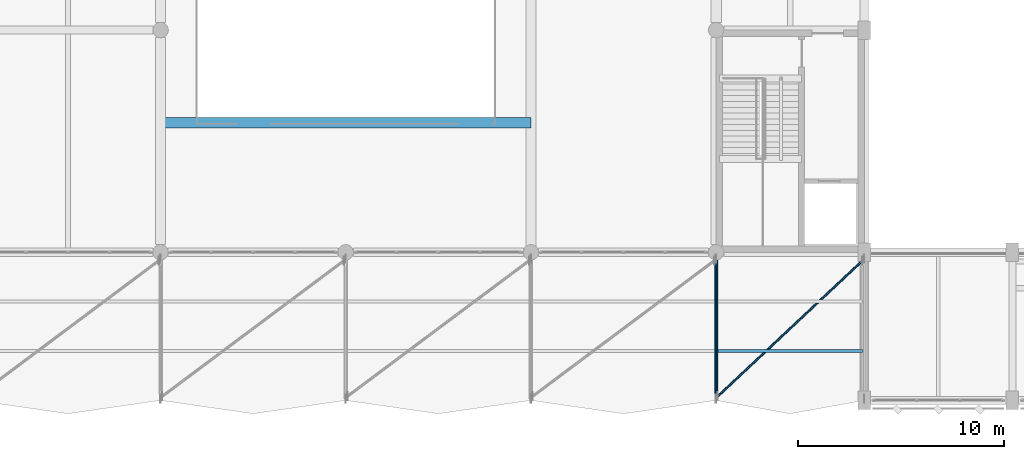
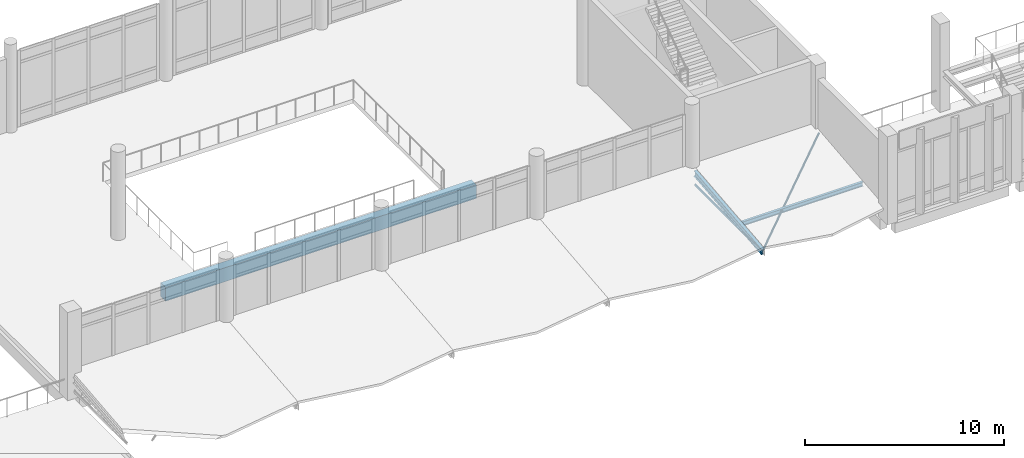
# One storey, part 40 of 180: 3 beams, 2 members.
"""IFC4 building model written with IfcOpenShell, lengths in metres."""

import ifcopenshell
import ifcopenshell.guid

model = None  # the IFC model being written
_history = None  # IfcOwnerHistory: only IFC2X3 demands one
_inside = {}  # id of a spatial element -> (the spatial element, [elements in it])
_under = {}  # id of a project, library or spatial element -> (it, [spatial elements below it])
_declared = {}  # id of a project -> (the project, [libraries it declares])
_typed = {}  # id of a type object -> (the type object, [elements of that type])
_made_of = {}  # id of a material, layer set ... -> (it, [elements and type objects made of it])


def new_model(schema):
    """Start an empty IFC model of exactly this schema.

    Asked for "IFC4X3", IfcOpenShell would pick the latest addendum, in which some entities
    have other attributes; the version numbers below select the first issue.
    IFC2X3 requires an IfcOwnerHistory on every rooted entity: one is made here for all.
    """
    global model, _history
    if schema == "IFC4X3":
        model = ifcopenshell.file(schema_version=(4, 3, 0, 0))
    else:
        model = ifcopenshell.file(schema=schema)
    _inside.clear()
    _under.clear()
    _declared.clear()
    _typed.clear()
    _made_of.clear()
    _history = None
    if model.schema == "IFC2X3":
        org = make("IfcOrganization", Name="unknown")
        user = make(
            "IfcPersonAndOrganization",
            ThePerson=make("IfcPerson", FamilyName="unknown"),
            TheOrganization=org,
        )
        app = make(
            "IfcApplication",
            ApplicationDeveloper=org,
            Version="unknown",
            ApplicationFullName="unknown",
            ApplicationIdentifier="unknown",
        )
        _history = make(
            "IfcOwnerHistory",
            OwningUser=user,
            OwningApplication=app,
            ChangeAction="ADDED",
            CreationDate=0,
        )
    return model


def make(cls, **values):
    """One entity of the class cls with the attributes given. An attribute that is None is left unset."""
    return model.create_entity(
        cls, **{name: value for name, value in values.items() if value is not None}
    )


def rooted(cls, **values):
    """An entity with a GlobalId (a new one), such as an element, a storey or a relation."""
    return make(cls, GlobalId=ifcopenshell.guid.new(), OwnerHistory=_history, **values)


def si_unit(unit_type, name, prefix=None):
    """IfcSIUnit, for example si_unit("LENGTHUNIT", "METRE", prefix="MILLI")."""
    return make("IfcSIUnit", UnitType=unit_type, Prefix=prefix, Name=name)


def assignment(units):
    """IfcUnitAssignment: the units of a project."""
    return None if units is None else make("IfcUnitAssignment", Units=units)


def point(xyz):
    """IfcCartesianPoint."""
    return None if xyz is None else make("IfcCartesianPoint", Coordinates=xyz)


def direction(xyz):
    """IfcDirection."""
    return None if xyz is None else make("IfcDirection", DirectionRatios=xyz)


def frame(location, z_axis=None, x_axis=None):
    """IfcAxis2Placement3D, a coordinate frame: its origin and axes. An axis left out is left unset."""
    return make(
        "IfcAxis2Placement3D",
        Location=point(location),
        Axis=direction(z_axis),
        RefDirection=direction(x_axis),
    )


def frame_2d(location, x_axis=None):
    """IfcAxis2Placement2D, a coordinate frame in the plane: its origin and x axis."""
    return make(
        "IfcAxis2Placement2D", Location=point(location), RefDirection=direction(x_axis)
    )


def origin():
    """The frame at (0, 0, 0) with its axes left unset."""
    return frame((0.0, 0.0, 0.0))


def origin_2d():
    """The frame at (0, 0) in the plane with its x axis left unset."""
    return frame_2d((0.0, 0.0))


def place(relative_to, where):
    """IfcLocalPlacement: puts the frame where relative to a parent placement (None: the world)."""
    return make(
        "IfcLocalPlacement", PlacementRelTo=relative_to, RelativePlacement=where
    )


def context(
    kind, dimensions, precision=None, world=None, true_north=None, identifier=None
):
    """IfcGeometricRepresentationContext, for example the 3D "Model" context."""
    return make(
        "IfcGeometricRepresentationContext",
        ContextIdentifier=identifier,
        ContextType=kind,
        CoordinateSpaceDimension=dimensions,
        Precision=precision,
        WorldCoordinateSystem=world,
        TrueNorth=true_north,
    )


def subcontext(parent, identifier, kind, view, scale=None):
    """IfcGeometricRepresentationSubContext, for example "Body" below "Model"."""
    return make(
        "IfcGeometricRepresentationSubContext",
        ContextIdentifier=identifier,
        ContextType=kind,
        ParentContext=parent,
        TargetScale=scale,
        TargetView=view,
    )


def project(units=None, contexts=None):
    """IfcProject with its units and contexts."""
    return rooted(
        "IfcProject",
        Name="project",
        RepresentationContexts=contexts,
        UnitsInContext=assignment(units),
    )


def spatial(cls, under=None, at=None, **own):
    """A site, building, storey or space (cls), placed at a placement, below another one or the project."""
    s = rooted(cls, ObjectPlacement=at, **own)
    if under is not None:
        _under.setdefault(under.id(), (under, []))[1].append(s)
    return s


def profile(cls, at=None, kind="AREA", **sizes):
    """A parametric profile (cls). Its sizes go by their IFC names, for example OverallWidth=200.0."""
    return make(cls, ProfileType=kind, Position=at, **sizes)


def rectangle(**sizes):
    """IfcRectangleProfileDef."""
    return profile("IfcRectangleProfileDef", **sizes)


def hollow_rectangle(**sizes):
    """IfcRectangleHollowProfileDef."""
    return profile("IfcRectangleHollowProfileDef", **sizes)


def hollow_circle(**sizes):
    """IfcCircleHollowProfileDef."""
    return profile("IfcCircleHollowProfileDef", **sizes)


def i_section(**sizes):
    """IfcIShapeProfileDef."""
    return profile("IfcIShapeProfileDef", **sizes)


def extrude(swept, where, along, depth):
    """IfcExtrudedAreaSolid: the profile swept, set in the frame where, extruded along a direction by depth."""
    return make(
        "IfcExtrudedAreaSolid",
        SweptArea=swept,
        Position=where,
        ExtrudedDirection=direction(along),
        Depth=depth,
    )


def shape(context_of_items, identifier, shape_type, items):
    """IfcShapeRepresentation: the items that make up one representation, for example the "Body"."""
    return make(
        "IfcShapeRepresentation",
        ContextOfItems=context_of_items,
        RepresentationIdentifier=identifier,
        RepresentationType=shape_type,
        Items=items,
    )


def material(Name=None, Category=None):
    """IfcMaterial."""
    return make("IfcMaterial", Name=Name, Category=Category)


def material_profile(
    of_material, cross_section, Name=None, Category=None, Priority=None
):
    """IfcMaterialProfile: a cross section and its material."""
    return make(
        "IfcMaterialProfile",
        Name=Name,
        Material=of_material,
        Profile=cross_section,
        Priority=Priority,
        Category=Category,
    )


def profile_set(profiles, Name=None, composite=None):
    """IfcMaterialProfileSet."""
    return make(
        "IfcMaterialProfileSet",
        Name=Name,
        MaterialProfiles=profiles,
        CompositeProfile=composite,
    )


def made_of(thing, what):
    """Note that an element or type object is made of a material, layer set ...; save() writes the relation."""
    if what is not None:
        _made_of.setdefault(what.id(), (what, []))[1].append(thing)
    return thing


def type_object(cls, material=None, **own):
    """A type object (cls), such as IfcWallType, which elements share."""
    return made_of(rooted(cls, **own), material)


def element(
    cls,
    number,
    at=None,
    inside=None,
    cuts=None,
    type_object=None,
    material=None,
    context=None,
    identifier="Body",
    shape_type=None,
    held_by="IfcProductDefinitionShape",
    body=None,
    shapes=None,
    **own,
):
    """One element of the class cls, such as IfcWall. Its Tag is "e" and its number.

    at: its placement. inside: the storey or other place that contains it. cuts: it is an
    opening in that element (IfcRelVoidsElement). A single representation is given by context,
    identifier, shape_type and body (its items); several are given by shapes. held_by: the class
    of the entity that holds the representations. save() writes the other relations.
    """
    e = rooted(cls, Tag="e%d" % number, ObjectPlacement=at, **own)
    if body is not None:
        shapes = [shape(context, identifier, shape_type, body)]
    if shapes is not None:
        e.Representation = make(held_by, Representations=shapes)
    if inside is not None:
        _inside.setdefault(inside.id(), (inside, []))[1].append(e)
    if cuts is not None:
        rooted(
            "IfcRelVoidsElement", RelatingBuildingElement=cuts, RelatedOpeningElement=e
        )
    if type_object is not None:
        _typed.setdefault(type_object.id(), (type_object, []))[1].append(e)
    return made_of(e, material)


def aggregate(whole, parts):
    """IfcRelAggregates: a whole, such as a stair, and the parts it consists of."""
    return rooted("IfcRelAggregates", RelatingObject=whole, RelatedObjects=parts)


def save(model, path):
    """Write the relations noted so far, then the file.

    IfcRelAggregates (storeys below a building ...), IfcRelContainedInSpatialStructure (elements
    in a storey), IfcRelDefinesByType, IfcRelAssociatesMaterial and IfcRelDeclares: one each for
    every whole, place, type object, material and project.
    """
    for whole, parts in _under.values():
        aggregate(whole, parts)
    for where, things in _inside.values():
        rooted(
            "IfcRelContainedInSpatialStructure",
            RelatedElements=things,
            RelatingStructure=where,
        )
    for kind, things in _typed.values():
        rooted("IfcRelDefinesByType", RelatedObjects=things, RelatingType=kind)
    for what, things in _made_of.values():
        rooted("IfcRelAssociatesMaterial", RelatedObjects=things, RelatingMaterial=what)
    for by, libraries in _declared.values():
        rooted("IfcRelDeclares", RelatingContext=by, RelatedDefinitions=libraries)
    model.write(path)


model = new_model("IFC4")

# Units and contexts
model_context = context("Model", 3, precision=1e-05, world=origin(), true_north=direction((0.0, 1.0)))
body_context = subcontext(model_context, "Body", "Model", "MODEL_VIEW")
ifc_project = project(units=[si_unit("LENGTHUNIT", "METRE"), si_unit("AREAUNIT", "SQUARE_METRE"), si_unit("VOLUMEUNIT", "CUBIC_METRE"), si_unit("PLANEANGLEUNIT", "RADIAN"), si_unit("MASSUNIT", "GRAM", prefix="KILO")], contexts=[model_context])

# Site, building, storey
site_placement = place(None, origin())
site = spatial("IfcSite", under=ifc_project, at=site_placement, CompositionType="ELEMENT")
building_placement = place(site_placement, origin())
building = spatial("IfcBuilding", under=site, at=building_placement, Name="Lusvemor Sports Hall", CompositionType="ELEMENT")
storey_placement = place(building_placement, frame((0.0, 0.0, 5.39990234375)))
storey = spatial("IfcBuildingStorey", under=building, at=storey_placement, Name="L01", CompositionType="ELEMENT", Elevation=5.39990234375)

# Beam
ifc_material_1 = material(Name="Steel S355", Category="steel")
ifc_material_profile_1 = material_profile(ifc_material_1, i_section(OverallWidth=0.1708984375, OverallDepth=0.35498046875, WebThickness=0.007080078125, FlangeThickness=0.01171875, FilletRadius=0.014892578125, at=origin_2d()), Name="W360x51.0")
ifc_profile_set_1 = profile_set([ifc_material_profile_1], Name="Steel S355")
beam_type_1 = type_object("IfcBeamType", Name="BEAM_ST_360", PredefinedType="BEAM", material=ifc_profile_set_1)
beam_1_placement = place(storey_placement, frame((111.60009765625, 0.080078125, 0.461181640625), z_axis=(0.0, 0.99461932884, 0.103597252368), x_axis=(-1.0, 0.0, 0.0)))
element("IfcBeam", 1, at=beam_1_placement, inside=storey, type_object=beam_type_1, Name="Boulevard Canopy Rafter 12", PredefinedType="BEAM", context=body_context, shape_type="SweptSolid", body=[
    extrude(i_section(OverallWidth=0.1708984375, OverallDepth=0.35498046875, WebThickness=0.007080078125, FlangeThickness=0.01171875, FilletRadius=0.014892578125, at=origin_2d()), origin(), (0.0, 0.0, 1.0), 6.836669921875),
])

# Member
ifc_material_2 = material(Name="Steel S355", Category="steel")
ifc_material_profile_2 = material_profile(ifc_material_2, hollow_circle(Radius=0.05712890625, WallThickness=0.00634765625, at=origin_2d()), Name="CHS114.3x6.3")
ifc_profile_set_2 = profile_set([ifc_material_profile_2], Name="Steel S355")
member_type_1 = type_object("IfcMemberType", Name="BRACE_CANOPY_114", PredefinedType="BRACE", material=ifc_profile_set_2)
member_1_placement = place(storey_placement, frame((111.679931640625, 0.199951171875, 0.4736328125), z_axis=(0.72768965905, 0.682215364224, 0.071063048963), x_axis=(-0.683944495117, 0.72953404828, 0.0)))
element("IfcMember", 2, at=member_1_placement, inside=storey, type_object=member_type_1, Name="Canopy Wind Brace 12", PredefinedType="BRACE", context=body_context, shape_type="SweptSolid", body=[
    extrude(hollow_circle(Radius=0.05712890625, WallThickness=0.00634765625, at=origin_2d()), origin(), (0.0, 0.0, 1.0), 9.674560546875),
])

# Beams
ifc_material_3 = material(Name="Concrete C40/50", Category="concrete")
ifc_material_profile_3 = material_profile(ifc_material_3, rectangle(XDim=0.5, YDim=0.85009765625, at=origin_2d()), Name="RC500x850")
ifc_profile_set_3 = profile_set([ifc_material_profile_3], Name="Concrete C40/50")
beam_type_2 = type_object("IfcBeamType", Name="GIRD_RC_850", PredefinedType="T_BEAM", material=ifc_profile_set_3)
beam_2_placement = place(storey_placement, frame((84.60009765625, 13.5, -0.684814453125), z_axis=(1.0, 0.0, 0.0), x_axis=(0.0, 1.0, 0.0)))
element("IfcBeam", 3, at=beam_2_placement, inside=storey, type_object=beam_type_2, Name="Foyer Atrium South Edge Girder", PredefinedType="T_BEAM", context=body_context, shape_type="SweptSolid", body=[
    extrude(rectangle(XDim=0.5, YDim=0.85009765625, at=origin_2d()), origin(), (0.0, 0.0, 1.0), 18.0),
])
ifc_material_4 = material(Name="Steel S355", Category="steel")
ifc_material_profile_4 = material_profile(ifc_material_4, i_section(OverallWidth=0.14599609375, OverallDepth=0.258056640625, WebThickness=0.006103515625, FlangeThickness=0.009033203125, FilletRadius=0.012939453125, at=origin_2d()), Name="W250x32.7")
ifc_profile_set_4 = profile_set([ifc_material_profile_4], Name="Steel S355")
beam_type_3 = type_object("IfcBeamType", Name="JOIST_CANOPY", PredefinedType="JOIST", material=ifc_profile_set_4)
beam_3_placement = place(storey_placement, frame((111.679931640625, 2.39990234375, 0.74658203125), z_axis=(1.0, 0.0, 0.0), x_axis=(0.0, 1.0, 0.0)))
element("IfcBeam", 4, at=beam_3_placement, inside=storey, type_object=beam_type_3, Name="Canopy Purlin Joist 12-1", PredefinedType="JOIST", context=body_context, shape_type="SweptSolid", body=[
    extrude(i_section(OverallWidth=0.14599609375, OverallDepth=0.258056640625, WebThickness=0.006103515625, FlangeThickness=0.009033203125, FilletRadius=0.012939453125, at=origin_2d()), origin(), (0.0, 0.0, 1.0), 7.0400390625),
])

# Member
ifc_material_5 = material(Name="Steel S355", Category="steel")
ifc_material_profile_5 = material_profile(ifc_material_5, hollow_rectangle(XDim=0.070068359375, YDim=0.139892578125, WallThickness=0.0048828125, InnerFilletRadius=0.0048828125, OuterFilletRadius=0.010009765625, at=origin_2d()), Name="RHS140x70x5")
ifc_profile_set_5 = profile_set([ifc_material_profile_5], Name="Steel S355")
member_type_2 = type_object("IfcMemberType", Name="STRUT_TIE_140", PredefinedType="STRUT", material=ifc_profile_set_5)
member_2_placement = place(storey_placement, frame((111.60009765625, 0.080078125, 0.440185546875), z_axis=(0.0, 1.0, 0.0), x_axis=(-1.0, 0.0, 0.0)))
element("IfcMember", 5, at=member_2_placement, inside=storey, type_object=member_type_2, Name="Canopy Tie Rod 12", PredefinedType="STRUT", context=body_context, shape_type="SweptSolid", body=[
    extrude(hollow_rectangle(XDim=0.070068359375, YDim=0.139892578125, WallThickness=0.0048828125, InnerFilletRadius=0.0048828125, OuterFilletRadius=0.010009765625, at=origin_2d()), origin(), (0.0, 0.0, 1.0), 6.7998046875),
])

save(model, "model.ifc")
